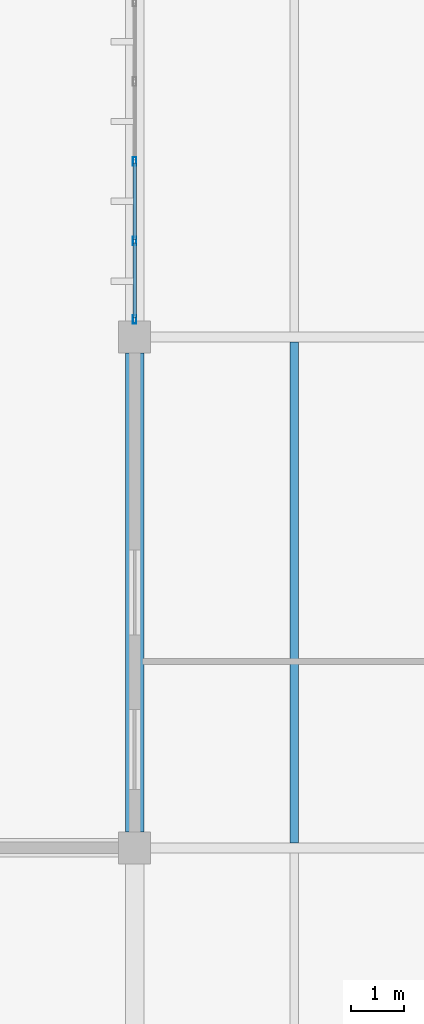
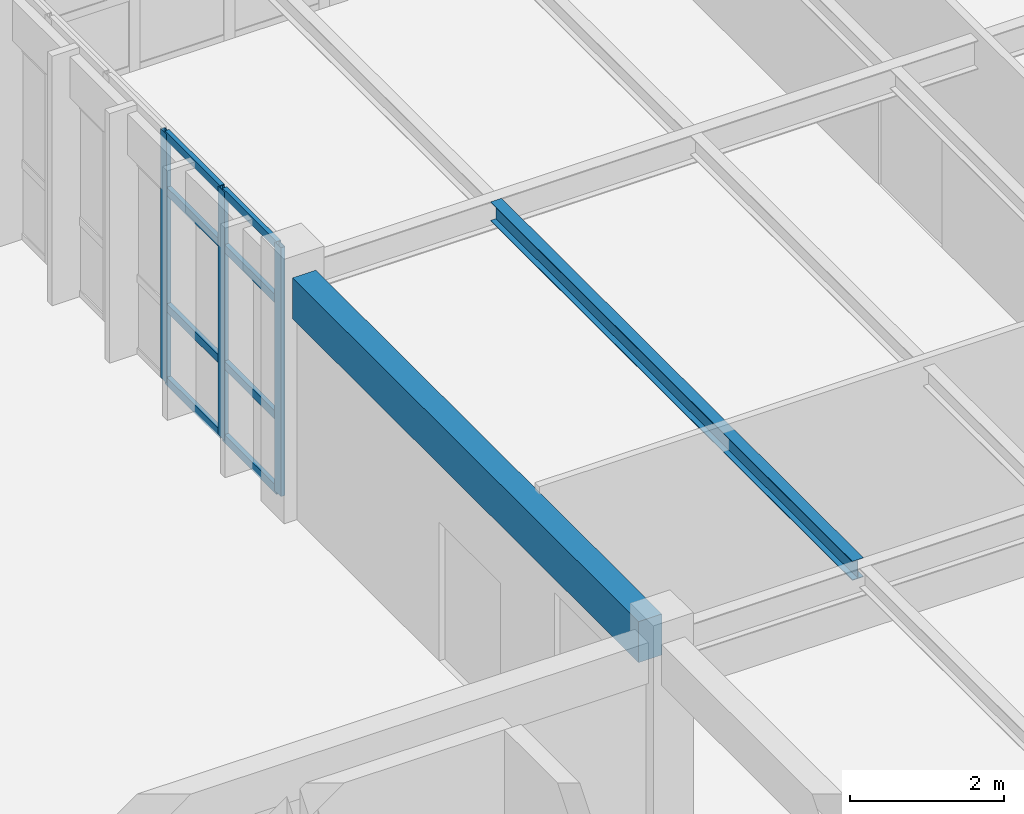
# One storey, part 13 of 28: 11 members, 2 beams, 1 element without a shape of its own.
"""IFC4 building model written with IfcOpenShell, lengths in metres."""

from ifc_helpers import new_model, si_unit, direction, frame, origin, origin_2d, place, context, subcontext, project, spatial, rectangle, hollow_rectangle, i_section, extrude, material, layer, layer_set, material_profile, profile_set, type_object, element, aggregate, save


model = new_model("IFC4")

# Units and contexts
model_context = context("Model", 3, precision=1e-05, world=origin(), true_north=direction((0.0, 1.0)))
body_context = subcontext(model_context, "Body", "Model", "MODEL_VIEW")
ifc_project = project(units=[si_unit("LENGTHUNIT", "METRE"), si_unit("AREAUNIT", "SQUARE_METRE"), si_unit("VOLUMEUNIT", "CUBIC_METRE"), si_unit("PLANEANGLEUNIT", "RADIAN"), si_unit("MASSUNIT", "GRAM", prefix="KILO")], contexts=[model_context])

# Site, building, storey
site_placement = place(None, origin())
site = spatial("IfcSite", under=ifc_project, at=site_placement, CompositionType="ELEMENT")
building_placement = place(site_placement, origin())
building = spatial("IfcBuilding", under=site, at=building_placement, Name="Pandanus Reach Market Hall", CompositionType="ELEMENT")
storey_placement = place(building_placement, frame((0.0, 0.0, 18.60009765625)))
storey = spatial("IfcBuildingStorey", under=building, at=storey_placement, Name="L04", CompositionType="ELEMENT", Elevation=18.60009765625)

# Beam
ifc_material_1 = material(Name="Concrete N40 (40 MPa)", Category="concrete")
ifc_material_profile_1 = material_profile(ifc_material_1, rectangle(XDim=0.35009765625, YDim=0.64990234375, at=origin_2d()), Name="RC350x650", Category="LoadBearing")
ifc_profile_set_1 = profile_set([ifc_material_profile_1], Name="Concrete N40 (40 MPa)")
beam_type_1 = type_object("IfcBeamType", Name="BM-RC350-E", PredefinedType="SPANDREL", material=ifc_profile_set_1)
beam_1_placement = place(storey_placement, frame((156.0, 57.89794921875, 3.534912109375), z_axis=(0.0, 1.0, 0.0), x_axis=(-1.0, 0.0, 0.0)))
element("IfcBeam", 1, at=beam_1_placement, inside=storey, type_object=beam_type_1, Name="Framing beam BM-RC350-E L04.625", PredefinedType="SPANDREL", context=body_context, shape_type="SweptSolid", body=[
    extrude(rectangle(XDim=0.35009765625, YDim=0.64990234375, at=origin_2d()), origin(), (0.0, 0.0, 1.0), 9.004150390625),
])

# Curtain wall, members
ifc_material_2 = material(Name="Bronze anodised aluminium and low-E glass", Category="aluminium")
ifc_layer = layer(ifc_material_2, 0.159912109375, Name="CW-37")
ifc_layer_set = layer_set([ifc_layer], Name="Bronze anodised aluminium and low-E glass")
curtain_wall_type = type_object("IfcCurtainWallType", Name="CW-37", PredefinedType="NOTDEFINED", material=ifc_layer_set)
curtain_wall_placement = place(storey_placement, origin())
curtain_wall = element("IfcCurtainWall", 2, at=curtain_wall_placement, inside=storey, type_object=curtain_wall_type, Name="Glazed curtain wall CW-37 CW-0134", PredefinedType="NOTDEFINED")
ifc_material_3 = material(Name="Bronze anodised aluminium", Category="aluminium")
ifc_material_profile_2 = material_profile(ifc_material_3, hollow_rectangle(XDim=0.06494140625, YDim=0.159912109375, WallThickness=0.00390625, at=origin_2d()), Name="ALU65x160", Category="LoadBearing")
ifc_profile_set_2 = profile_set([ifc_material_profile_2], Name="Bronze anodised aluminium")
member_type_1 = type_object("IfcMemberType", Name="CW-M1", PredefinedType="MULLION", material=ifc_profile_set_2)
member_1_placement = place(storey_placement, frame((156.0, 67.532470703125, 0.0), z_axis=(0.0, 0.0, 1.0), x_axis=(-1.0, 0.0, 0.0)))
member_1 = element("IfcMember", 3, at=member_1_placement, type_object=member_type_1, Name="CW-37 mullion 1", PredefinedType="MULLION", context=body_context, shape_type="SweptSolid", body=[
    extrude(hollow_rectangle(XDim=0.06494140625, YDim=0.159912109375, WallThickness=0.00390625, at=origin_2d()), origin(), (0.0, 0.0, 1.0), 3.949951171875),
])
member_2_placement = place(storey_placement, frame((156.0, 69.0, 0.0), z_axis=(0.0, 0.0, 1.0), x_axis=(-1.0, 0.0, 0.0)))
member_2 = element("IfcMember", 4, at=member_2_placement, type_object=member_type_1, Name="CW-37 mullion 2", PredefinedType="MULLION", context=body_context, shape_type="SweptSolid", body=[
    extrude(hollow_rectangle(XDim=0.06494140625, YDim=0.159912109375, WallThickness=0.00390625, at=origin_2d()), origin(), (0.0, 0.0, 1.0), 3.949951171875),
])
member_3_placement = place(storey_placement, frame((156.0, 70.5, 0.0), z_axis=(0.0, 0.0, 1.0), x_axis=(-1.0, 0.0, 0.0)))
member_3 = element("IfcMember", 5, at=member_3_placement, type_object=member_type_1, Name="CW-37 mullion 3", PredefinedType="MULLION", context=body_context, shape_type="SweptSolid", body=[
    extrude(hollow_rectangle(XDim=0.06494140625, YDim=0.159912109375, WallThickness=0.00390625, at=origin_2d()), origin(), (0.0, 0.0, 1.0), 3.949951171875),
])
ifc_material_profile_3 = material_profile(ifc_material_3, hollow_rectangle(XDim=0.06494140625, YDim=0.1298828125, WallThickness=0.00390625, at=origin_2d()), Name="ALU65x130", Category="LoadBearing")
ifc_profile_set_3 = profile_set([ifc_material_profile_3], Name="Bronze anodised aluminium")
member_type_2 = type_object("IfcMemberType", Name="CW-T1", PredefinedType="USERDEFINED", material=ifc_profile_set_3)
member_4_placement = place(storey_placement, frame((156.0, 67.56494140625, 0.032470703125), z_axis=(0.0, 1.0, 0.0), x_axis=(-1.0, 0.0, 0.0)))
member_4 = element("IfcMember", 6, at=member_4_placement, type_object=member_type_2, Name="CW-37 transom 1.1", ObjectType="TRANSOM", PredefinedType="USERDEFINED", context=body_context, shape_type="SweptSolid", body=[
    extrude(hollow_rectangle(XDim=0.06494140625, YDim=0.1298828125, WallThickness=0.00390625, at=origin_2d()), origin(), (0.0, 0.0, 1.0), 1.402587890625),
])
member_5_placement = place(storey_placement, frame((156.0, 67.56494140625, 1.199951171875), z_axis=(0.0, 1.0, 0.0), x_axis=(-1.0, 0.0, 0.0)))
member_5 = element("IfcMember", 7, at=member_5_placement, type_object=member_type_2, Name="CW-37 transom 1.2", ObjectType="TRANSOM", PredefinedType="USERDEFINED", context=body_context, shape_type="SweptSolid", body=[
    extrude(hollow_rectangle(XDim=0.06494140625, YDim=0.1298828125, WallThickness=0.00390625, at=origin_2d()), origin(), (0.0, 0.0, 1.0), 1.402587890625),
])
member_6_placement = place(storey_placement, frame((156.0, 67.56494140625, 3.0498046875), z_axis=(0.0, 1.0, 0.0), x_axis=(-1.0, 0.0, 0.0)))
member_6 = element("IfcMember", 8, at=member_6_placement, type_object=member_type_2, Name="CW-37 transom 1.3", ObjectType="TRANSOM", PredefinedType="USERDEFINED", context=body_context, shape_type="SweptSolid", body=[
    extrude(hollow_rectangle(XDim=0.06494140625, YDim=0.1298828125, WallThickness=0.00390625, at=origin_2d()), origin(), (0.0, 0.0, 1.0), 1.402587890625),
])
member_7_placement = place(storey_placement, frame((156.0, 67.56494140625, 3.91748046875), z_axis=(0.0, 1.0, 0.0), x_axis=(-1.0, 0.0, 0.0)))
member_7 = element("IfcMember", 9, at=member_7_placement, type_object=member_type_2, Name="CW-37 transom 1.4", ObjectType="TRANSOM", PredefinedType="USERDEFINED", context=body_context, shape_type="SweptSolid", body=[
    extrude(hollow_rectangle(XDim=0.06494140625, YDim=0.1298828125, WallThickness=0.00390625, at=origin_2d()), origin(), (0.0, 0.0, 1.0), 1.402587890625),
])
member_8_placement = place(storey_placement, frame((156.0, 69.032470703125, 0.032470703125), z_axis=(0.0, 1.0, 0.0), x_axis=(-1.0, 0.0, 0.0)))
member_8 = element("IfcMember", 10, at=member_8_placement, type_object=member_type_2, Name="CW-37 transom 2.1", ObjectType="TRANSOM", PredefinedType="USERDEFINED", context=body_context, shape_type="SweptSolid", body=[
    extrude(hollow_rectangle(XDim=0.06494140625, YDim=0.1298828125, WallThickness=0.00390625, at=origin_2d()), origin(), (0.0, 0.0, 1.0), 1.43505859375),
])
member_9_placement = place(storey_placement, frame((156.0, 69.032470703125, 1.199951171875), z_axis=(0.0, 1.0, 0.0), x_axis=(-1.0, 0.0, 0.0)))
member_9 = element("IfcMember", 11, at=member_9_placement, type_object=member_type_2, Name="CW-37 transom 2.2", ObjectType="TRANSOM", PredefinedType="USERDEFINED", context=body_context, shape_type="SweptSolid", body=[
    extrude(hollow_rectangle(XDim=0.06494140625, YDim=0.1298828125, WallThickness=0.00390625, at=origin_2d()), origin(), (0.0, 0.0, 1.0), 1.43505859375),
])
member_10_placement = place(storey_placement, frame((156.0, 69.032470703125, 3.0498046875), z_axis=(0.0, 1.0, 0.0), x_axis=(-1.0, 0.0, 0.0)))
member_10 = element("IfcMember", 12, at=member_10_placement, type_object=member_type_2, Name="CW-37 transom 2.3", ObjectType="TRANSOM", PredefinedType="USERDEFINED", context=body_context, shape_type="SweptSolid", body=[
    extrude(hollow_rectangle(XDim=0.06494140625, YDim=0.1298828125, WallThickness=0.00390625, at=origin_2d()), origin(), (0.0, 0.0, 1.0), 1.43505859375),
])
member_11_placement = place(storey_placement, frame((156.0, 69.032470703125, 3.91748046875), z_axis=(0.0, 1.0, 0.0), x_axis=(-1.0, 0.0, 0.0)))
member_11 = element("IfcMember", 13, at=member_11_placement, type_object=member_type_2, Name="CW-37 transom 2.4", ObjectType="TRANSOM", PredefinedType="USERDEFINED", context=body_context, shape_type="SweptSolid", body=[
    extrude(hollow_rectangle(XDim=0.06494140625, YDim=0.1298828125, WallThickness=0.00390625, at=origin_2d()), origin(), (0.0, 0.0, 1.0), 1.43505859375),
])
aggregate(curtain_wall, [member_1, member_2, member_3, member_4, member_5, member_6, member_7, member_8, member_9, member_10, member_11])

# Beam
ifc_material_4 = material(Name="Steel Grade 350 (350 MPa)", Category="steel")
ifc_material_profile_4 = material_profile(ifc_material_4, i_section(OverallWidth=0.1650390625, OverallDepth=0.303955078125, WebThickness=0.006103515625, FlangeThickness=0.01025390625, at=origin_2d()), Name="310UB40.4", Category="LoadBearing")
ifc_profile_set_4 = profile_set([ifc_material_profile_4], Name="Steel Grade 350 (350 MPa)")
beam_type_2 = type_object("IfcBeamType", Name="JS-UB310-I", PredefinedType="JOIST", material=ifc_profile_set_4)
beam_2_placement = place(storey_placement, frame((159.0, 57.693115234375, 3.70751953125), z_axis=(0.0, 1.0, 0.0), x_axis=(-1.0, 0.0, 0.0)))
element("IfcBeam", 14, at=beam_2_placement, inside=storey, type_object=beam_type_2, Name="Secondary joist JS-UB310-I L04.646", PredefinedType="JOIST", context=body_context, shape_type="SweptSolid", body=[
    extrude(i_section(OverallWidth=0.1650390625, OverallDepth=0.303955078125, WebThickness=0.006103515625, FlangeThickness=0.01025390625, at=origin_2d()), origin(), (0.0, 0.0, 1.0), 9.413818359375),
])

save(model, "model.ifc")
